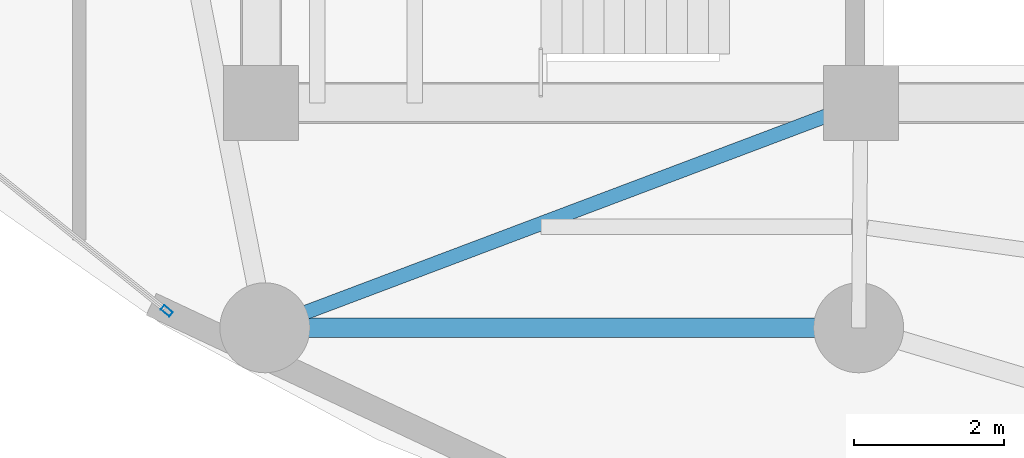
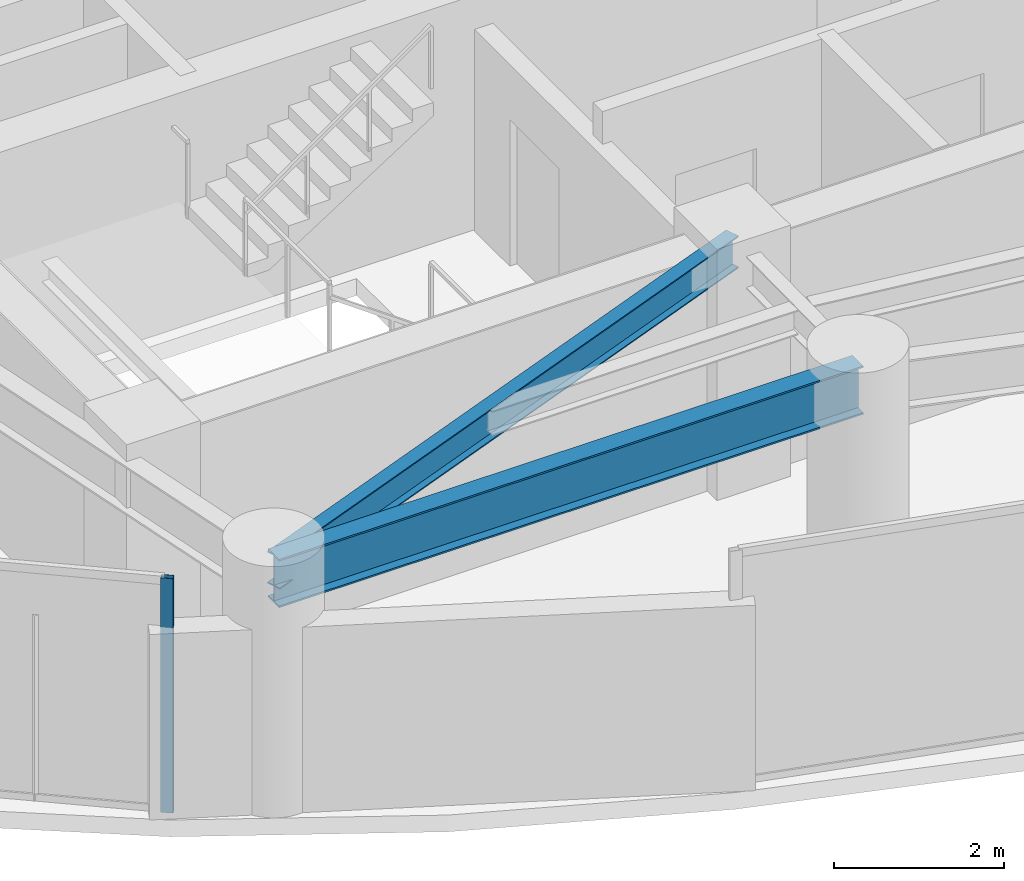
# One storey, part 2 of 34: 2 beams, 1 member, 1 element without a shape of its own.
"""IFC4 building model written with IfcOpenShell, lengths in metres."""

from ifc_helpers import new_model, si_unit, direction, frame, origin, origin_2d, place, context, subcontext, project, spatial, hollow_rectangle, i_section, extrude, material, layer, layer_set, material_profile, profile_set, type_object, element, aggregate, save


model = new_model("IFC4")

# Units and contexts
model_context = context("Model", 3, precision=1e-05, world=origin(), true_north=direction((0.0, 1.0)))
body_context = subcontext(model_context, "Body", "Model", "MODEL_VIEW")
ifc_project = project(units=[si_unit("LENGTHUNIT", "METRE"), si_unit("AREAUNIT", "SQUARE_METRE"), si_unit("VOLUMEUNIT", "CUBIC_METRE"), si_unit("PLANEANGLEUNIT", "RADIAN"), si_unit("MASSUNIT", "GRAM", prefix="KILO")], contexts=[model_context])

# Site, building, storey
site_placement = place(None, origin())
site = spatial("IfcSite", under=ifc_project, at=site_placement, CompositionType="ELEMENT")
building_placement = place(site_placement, origin())
building = spatial("IfcBuilding", under=site, at=building_placement, Name="Kazevale Care Tower and Concert Hall", CompositionType="ELEMENT")
storey_placement = place(building_placement, frame((0.0, 0.0, 156.60009765625)))
storey = spatial("IfcBuildingStorey", under=building, at=storey_placement, Name="L41", CompositionType="ELEMENT", Elevation=156.60009765625)

# Curtain wall, member
ifc_material_1 = material(Name="Aluminium 6063-T6 and Low-E Glass", Category="aluminium")
ifc_layer = layer(ifc_material_1, 0.179931640625)
ifc_layer_set = layer_set([ifc_layer], Name="Aluminium 6063-T6 and Low-E Glass")
curtain_wall_type = type_object("IfcCurtainWallType", Name="Sheltered Concave Balcony Curtain Wall CW-5", PredefinedType="NOTDEFINED", material=ifc_layer_set)
curtain_wall_placement = place(storey_placement, origin())
curtain_wall = element("IfcCurtainWall", 1, at=curtain_wall_placement, inside=storey, type_object=curtain_wall_type, Name="cw:L41:f10", PredefinedType="NOTDEFINED")
ifc_material_2 = material(Name="Aluminium 6063-T6", Category="aluminium")
ifc_material_profile_1 = material_profile(ifc_material_2, hollow_rectangle(XDim=0.074951171875, YDim=0.14990234375, WallThickness=0.00390625, at=origin_2d()), Name="ALU75x150x4")
ifc_profile_set_1 = profile_set([ifc_material_profile_1], Name="Aluminium 6063-T6")
member_type = type_object("IfcMemberType", Name="CW-5 Mullion ALU75x150x4", PredefinedType="MULLION", material=ifc_profile_set_1)
member_placement = place(storey_placement, frame((20.74072265625, 20.826416015625, 0.0), z_axis=(0.0, 0.0, 1.0), x_axis=(-0.626905357502, -0.779095419531, 0.0)))
member = element("IfcMember", 2, at=member_placement, type_object=member_type, Name="CW-5 mullion 1", PredefinedType="MULLION", context=body_context, shape_type="SweptSolid", body=[
    extrude(hollow_rectangle(XDim=0.074951171875, YDim=0.14990234375, WallThickness=0.00390625, at=origin_2d()), origin(), (0.0, 0.0, 1.0), 3.35986328125),
])
aggregate(curtain_wall, [member])

# Beams
ifc_material_3 = material(Name="Steel ASTM A572 Gr 50", Category="steel")
ifc_material_profile_2 = material_profile(ifc_material_3, i_section(OverallWidth=0.19091796875, OverallDepth=0.4599609375, WebThickness=0.010009765625, FlangeThickness=0.01611328125, at=origin_2d()), Name="W460x82")
ifc_profile_set_2 = profile_set([ifc_material_profile_2], Name="Steel ASTM A572 Gr 50")
beam_type_1 = type_object("IfcBeamType", Name="Radial Floor Beam W460x82", PredefinedType="BEAM", material=ifc_profile_set_2)
beam_1_placement = place(storey_placement, frame((30.0, 23.60009765625, 3.1298828125), z_axis=(-0.935601002663, -0.353059150592, 0.0), x_axis=(0.353059150592, -0.935601002663, 0.0)))
element("IfcBeam", 3, at=beam_1_placement, inside=storey, type_object=beam_type_1, Name="beam:L41:rad:10", PredefinedType="BEAM", context=body_context, shape_type="SweptSolid", body=[
    extrude(i_section(OverallWidth=0.19091796875, OverallDepth=0.4599609375, WebThickness=0.010009765625, FlangeThickness=0.01611328125, at=origin_2d()), origin(), (0.0, 0.0, 1.0), 8.4970703125),
])
ifc_material_profile_3 = material_profile(ifc_material_3, i_section(OverallWidth=0.256103515625, OverallDepth=0.693115234375, WebThickness=0.014404296875, FlangeThickness=0.023681640625, at=origin_2d()), Name="W690x170")
ifc_profile_set_3 = profile_set([ifc_material_profile_3], Name="Steel ASTM A572 Gr 50")
beam_type_2 = type_object("IfcBeamType", Name="Waist Ring Beam W690x170", PredefinedType="BEAM", material=ifc_profile_set_3)
beam_2_placement = place(storey_placement, frame((22.050048828125, 20.60009765625, 3.013427734375), z_axis=(1.0, 0.0, 0.0), x_axis=(0.0, 1.0, 0.0)))
element("IfcBeam", 4, at=beam_2_placement, inside=storey, type_object=beam_type_2, Name="beam:L41:ring:10", PredefinedType="BEAM", context=body_context, shape_type="SweptSolid", body=[
    extrude(i_section(OverallWidth=0.256103515625, OverallDepth=0.693115234375, WebThickness=0.014404296875, FlangeThickness=0.023681640625, at=origin_2d()), origin(), (0.0, 0.0, 1.0), 7.919921875),
])

save(model, "model.ifc")
